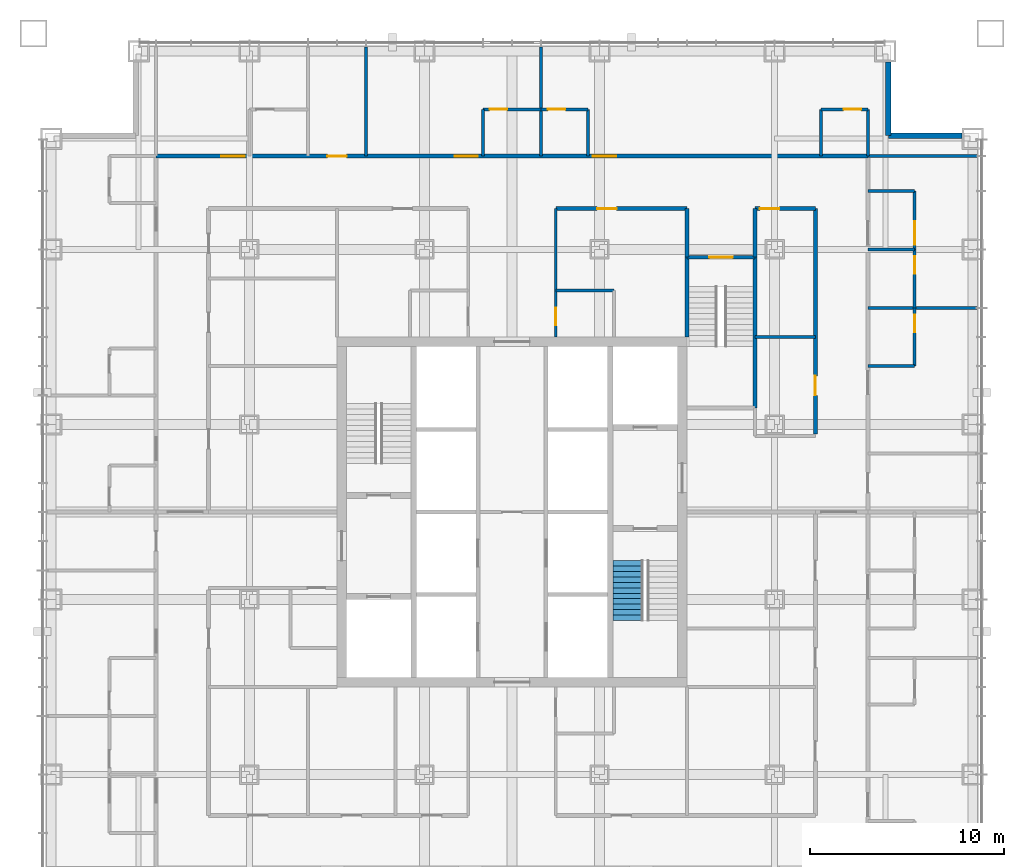
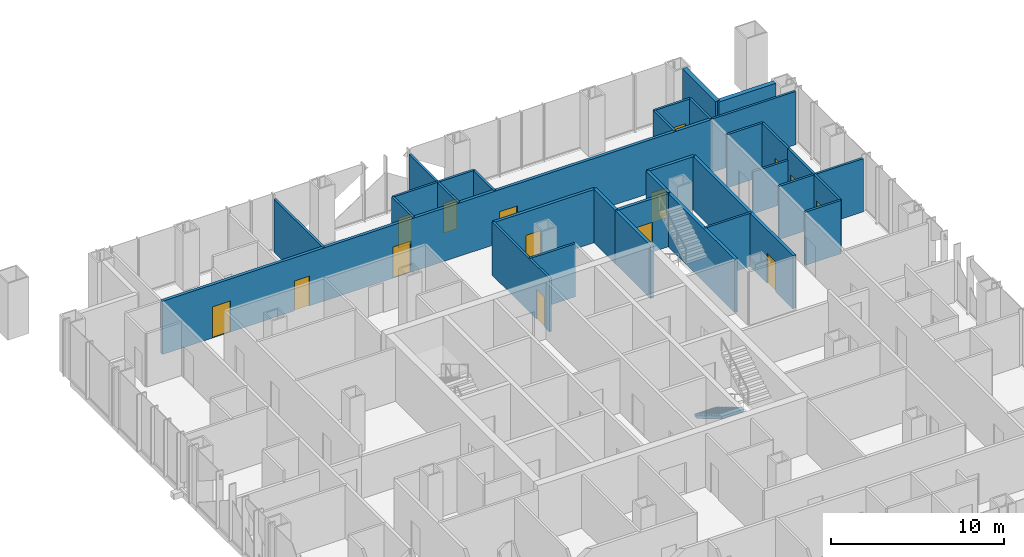
# One storey, part 12 of 16: 31 walls, 15 doors, 1 stair flight, 15 openings, 1 element without a shape of its own.
"""IFC4 building model written with IfcOpenShell, lengths in metres."""

from ifc_helpers import new_model, si_unit, direction, frame, frame_2d, origin, place, context, subcontext, project, spatial, polyline, rectangle, outline, extrude, material, layer, layer_set, type_object, element, fill, aggregate, save


model = new_model("IFC4")

# Units and contexts
model_context = context("Model", 3, precision=1e-05, world=origin(), true_north=direction((0.0, 1.0)))
body_context = subcontext(model_context, "Body", "Model", "MODEL_VIEW")
ifc_project = project(units=[si_unit("LENGTHUNIT", "METRE"), si_unit("AREAUNIT", "SQUARE_METRE"), si_unit("VOLUMEUNIT", "CUBIC_METRE"), si_unit("PLANEANGLEUNIT", "RADIAN"), si_unit("MASSUNIT", "GRAM", prefix="KILO")], contexts=[model_context])

# Site, building, storey
site_placement = place(None, origin())
site = spatial("IfcSite", under=ifc_project, at=site_placement, CompositionType="ELEMENT")
building_placement = place(site_placement, origin())
building = spatial("IfcBuilding", under=site, at=building_placement, Name="Malebo Sky Hospital", CompositionType="ELEMENT")
storey_placement = place(building_placement, frame((0.0, 0.0, 152.0)))
storey = spatial("IfcBuildingStorey", under=building, at=storey_placement, Name="L36", CompositionType="ELEMENT", Elevation=152.0)

# Wall, openings, doors
ifc_material_1 = material(Name="Gypsum board on steel studs", Category="steel")
ifc_layer_1 = layer(ifc_material_1, 0.199951171875)
ifc_layer_set_1 = layer_set([ifc_layer_1], Name="CORRIDOR WALL 200")
wall_type_1 = type_object("IfcWallType", Name="CORRIDOR WALL 200", PredefinedType="PARTITIONING", material=ifc_layer_set_1)
wall_1_placement = place(storey_placement, frame((41.699951171875, 80.300048828125, 0.0), z_axis=(0.0, 0.0, 1.0), x_axis=(1.0, 0.0, 0.0)))
wall_1 = element("IfcWall", 1, at=wall_1_placement, inside=storey, type_object=wall_type_1, Name="Corridor Wall 200 NCO", PredefinedType="PARTITIONING", context=body_context, shape_type="SweptSolid", body=[
    extrude(rectangle(XDim=36.60009765625, YDim=0.199951171875, at=frame_2d((18.300048828125, 0.0))), origin(), (0.0, 0.0, 1.0), 3.75),
])
opening_1_placement = place(wall_1_placement, frame((3.35009765625, 0.0, 0.0)))
opening_1 = element("IfcOpeningElement", 2, at=opening_1_placement, cuts=wall_1, Name="Opening D01", PredefinedType="OPENING", context=body_context, shape_type="SweptSolid", body=[
    extrude(rectangle(XDim=1.199951171875, YDim=2.199951171875, at=frame_2d((0.60009765625, 1.10009765625))), frame((0.0, 0.10986328125, 0.0), z_axis=(0.0, -1.0, 0.0), x_axis=(1.0, 0.0, 0.0)), (0.0, 0.0, 1.0), 0.219970703125),
])
opening_2_placement = place(wall_1_placement, frame((8.800048828125, 0.0, 0.0)))
opening_2 = element("IfcOpeningElement", 3, at=opening_2_placement, cuts=wall_1, Name="Opening D03", PredefinedType="OPENING", context=body_context, shape_type="SweptSolid", body=[
    extrude(rectangle(XDim=1.0, YDim=2.10009765625, at=frame_2d((0.5, 1.050048828125))), frame((0.0, 0.10986328125, 0.0), z_axis=(0.0, -1.0, 0.0), x_axis=(1.0, 0.0, 0.0)), (0.0, 0.0, 1.0), 0.219970703125),
])
opening_3_placement = place(wall_1_placement, frame((15.35009765625, 0.0, 0.0)))
opening_3 = element("IfcOpeningElement", 4, at=opening_3_placement, cuts=wall_1, Name="Opening D01", PredefinedType="OPENING", context=body_context, shape_type="SweptSolid", body=[
    extrude(rectangle(XDim=1.199951171875, YDim=2.199951171875, at=frame_2d((0.60009765625, 1.10009765625))), frame((0.0, 0.10986328125, 0.0), z_axis=(0.0, -1.0, 0.0), x_axis=(1.0, 0.0, 0.0)), (0.0, 0.0, 1.0), 0.219970703125),
])
opening_4_placement = place(wall_1_placement, frame((22.449951171875, 0.0, 0.0)))
opening_4 = element("IfcOpeningElement", 5, at=opening_4_placement, cuts=wall_1, Name="Opening D01", PredefinedType="OPENING", context=body_context, shape_type="SweptSolid", body=[
    extrude(rectangle(XDim=1.199951171875, YDim=2.199951171875, at=frame_2d((0.60009765625, 1.10009765625))), frame((0.0, 0.10986328125, 0.0), z_axis=(0.0, -1.0, 0.0), x_axis=(1.0, 0.0, 0.0)), (0.0, 0.0, 1.0), 0.219970703125),
])
ifc_material_2 = material(Name="Hardwood-faced door leaf in steel frame", Category="steel")
door_type_1 = type_object("IfcDoorType", Name="BED DOOR 1200", OperationType="SINGLE_SWING_LEFT", PredefinedType="DOOR", material=ifc_material_2)
door_1_placement = place(opening_1_placement, origin())
door_1 = element("IfcDoor", 6, at=door_1_placement, inside=storey, type_object=door_type_1, Name="Single bed room door", OperationType="SINGLE_SWING_RIGHT", OverallHeight=2.199951171875, OverallWidth=1.199951171875, PredefinedType="DOOR", context=body_context, shape_type="SweptSolid", body=[
    extrude(rectangle(XDim=1.199951171875, YDim=2.199951171875, at=frame_2d((0.60009765625, 1.10009765625))), frame((0.0, 0.02490234375, 0.0), z_axis=(0.0, -1.0, 0.0), x_axis=(1.0, 0.0, 0.0)), (0.0, 0.0, 1.0), 0.050048828125),
])
fill(opening_1, door_1)
door_2_placement = place(opening_3_placement, origin())
door_2 = element("IfcDoor", 7, at=door_2_placement, inside=storey, type_object=door_type_1, Name="Two-bed room door", OperationType="SINGLE_SWING_RIGHT", OverallHeight=2.199951171875, OverallWidth=1.199951171875, PredefinedType="DOOR", context=body_context, shape_type="SweptSolid", body=[
    extrude(rectangle(XDim=1.199951171875, YDim=2.199951171875, at=frame_2d((0.60009765625, 1.10009765625))), frame((0.0, 0.02490234375, 0.0), z_axis=(0.0, -1.0, 0.0), x_axis=(1.0, 0.0, 0.0)), (0.0, 0.0, 1.0), 0.050048828125),
])
fill(opening_3, door_2)
door_3_placement = place(opening_4_placement, origin())
door_3 = element("IfcDoor", 8, at=door_3_placement, inside=storey, type_object=door_type_1, Name="Four-bed bay door", OperationType="SINGLE_SWING_LEFT", OverallHeight=2.199951171875, OverallWidth=1.199951171875, PredefinedType="DOOR", context=body_context, shape_type="SweptSolid", body=[
    extrude(rectangle(XDim=1.199951171875, YDim=2.199951171875, at=frame_2d((0.60009765625, 1.10009765625))), frame((0.0, 0.02490234375, 0.0), z_axis=(0.0, -1.0, 0.0), x_axis=(1.0, 0.0, 0.0)), (0.0, 0.0, 1.0), 0.050048828125),
])
fill(opening_4, door_3)
door_type_2 = type_object("IfcDoorType", Name="ROOM DOOR 1000", OperationType="SINGLE_SWING_LEFT", PredefinedType="DOOR", material=ifc_material_2)
door_4_placement = place(opening_2_placement, origin())
door_4 = element("IfcDoor", 9, at=door_4_placement, inside=storey, type_object=door_type_2, Name="Interview room door", OperationType="SINGLE_SWING_LEFT", OverallHeight=2.10009765625, OverallWidth=1.0, PredefinedType="DOOR", context=body_context, shape_type="SweptSolid", body=[
    extrude(rectangle(XDim=1.0, YDim=2.10009765625, at=frame_2d((0.5, 1.050048828125))), frame((0.0, 0.02490234375, 0.0), z_axis=(0.0, -1.0, 0.0), x_axis=(1.0, 0.0, 0.0)), (0.0, 0.0, 1.0), 0.050048828125),
])
fill(opening_2, door_4)

# Wall, opening, door
wall_2_placement = place(storey_placement, frame((62.25, 77.60009765625, 0.0), z_axis=(0.0, 0.0, 1.0), x_axis=(1.0, 0.0, 0.0)))
wall_2 = element("IfcWall", 10, at=wall_2_placement, inside=storey, type_object=wall_type_1, Name="Corridor Wall 200 NCI2", PredefinedType="PARTITIONING", context=body_context, shape_type="SweptSolid", body=[
    extrude(rectangle(XDim=6.75, YDim=0.199951171875, at=frame_2d((3.375, 0.0))), origin(), (0.0, 0.0, 1.0), 3.75),
])
opening_5_placement = place(wall_2_placement, frame((2.125, 0.0, 0.0)))
opening_5 = element("IfcOpeningElement", 11, at=opening_5_placement, cuts=wall_2, Name="Opening D03", PredefinedType="OPENING", context=body_context, shape_type="SweptSolid", body=[
    extrude(rectangle(XDim=1.0, YDim=2.10009765625, at=frame_2d((0.5, 1.050048828125))), frame((0.0, 0.10986328125, 0.0), z_axis=(0.0, -1.0, 0.0), x_axis=(1.0, 0.0, 0.0)), (0.0, 0.0, 1.0), 0.219970703125),
])
door_5_placement = place(opening_5_placement, origin())
door_5 = element("IfcDoor", 12, at=door_5_placement, inside=storey, type_object=door_type_2, Name="Dirty utility room door", OperationType="SINGLE_SWING_LEFT", OverallHeight=2.10009765625, OverallWidth=1.0, PredefinedType="DOOR", context=body_context, shape_type="SweptSolid", body=[
    extrude(rectangle(XDim=1.0, YDim=2.10009765625, at=frame_2d((0.5, 1.050048828125))), frame((0.0, 0.02490234375, 0.0), z_axis=(0.0, -1.0, 0.0), x_axis=(1.0, 0.0, 0.0)), (0.0, 0.0, 1.0), 0.050048828125),
])
fill(opening_5, door_5)

wall_3_placement = place(storey_placement, frame((72.5, 77.60009765625, 0.0), z_axis=(0.0, 0.0, 1.0), x_axis=(1.0, 0.0, 0.0)))
wall_3 = element("IfcWall", 13, at=wall_3_placement, inside=storey, type_object=wall_type_1, Name="Corridor Wall 200 NCI2/2", PredefinedType="PARTITIONING", context=body_context, shape_type="SweptSolid", body=[
    extrude(rectangle(XDim=3.10009765625, YDim=0.199951171875, at=frame_2d((1.550048828125, 0.0))), origin(), (0.0, 0.0, 1.0), 3.75),
])
opening_6_placement = place(wall_3_placement, frame((0.25, 0.0, 0.0)))
opening_6 = element("IfcOpeningElement", 14, at=opening_6_placement, cuts=wall_3, Name="Opening D03", PredefinedType="OPENING", context=body_context, shape_type="SweptSolid", body=[
    extrude(rectangle(XDim=1.0, YDim=2.10009765625, at=frame_2d((0.5, 1.050048828125))), frame((0.0, 0.10986328125, 0.0), z_axis=(0.0, -1.0, 0.0), x_axis=(1.0, 0.0, 0.0)), (0.0, 0.0, 1.0), 0.219970703125),
])
door_6_placement = place(opening_6_placement, origin())
door_6 = element("IfcDoor", 15, at=door_6_placement, inside=storey, type_object=door_type_2, Name="Nurse station door", OperationType="SINGLE_SWING_LEFT", OverallHeight=2.10009765625, OverallWidth=1.0, PredefinedType="DOOR", context=body_context, shape_type="SweptSolid", body=[
    extrude(rectangle(XDim=1.0, YDim=2.10009765625, at=frame_2d((0.5, 1.050048828125))), frame((0.0, 0.02490234375, 0.0), z_axis=(0.0, -1.0, 0.0), x_axis=(1.0, 0.0, 0.0)), (0.0, 0.0, 1.0), 0.050048828125),
])
fill(opening_6, door_6)

wall_4_placement = place(storey_placement, frame((75.60009765625, 77.60009765625, 0.0), z_axis=(0.0, 0.0, 1.0), x_axis=(0.0, -1.0, 0.0)))
wall_4 = element("IfcWall", 16, at=wall_4_placement, inside=storey, type_object=wall_type_1, Name="Corridor Wall 200 ECI1", PredefinedType="PARTITIONING", context=body_context, shape_type="SweptSolid", body=[
    extrude(rectangle(XDim=11.60009765625, YDim=0.199951171875, at=frame_2d((5.800048828125, 0.0))), origin(), (0.0, 0.0, 1.0), 3.75),
])
opening_7_placement = place(wall_4_placement, frame((8.60009765625, 0.0, 0.0)))
opening_7 = element("IfcOpeningElement", 17, at=opening_7_placement, cuts=wall_4, Name="Opening D03", PredefinedType="OPENING", context=body_context, shape_type="SweptSolid", body=[
    extrude(rectangle(XDim=1.0, YDim=2.10009765625, at=frame_2d((0.5, 1.050048828125))), frame((0.0, 0.10986328125, 0.0), z_axis=(0.0, -1.0, 0.0), x_axis=(1.0, 0.0, 0.0)), (0.0, 0.0, 1.0), 0.219970703125),
])
door_7_placement = place(opening_7_placement, origin())
door_7 = element("IfcDoor", 18, at=door_7_placement, inside=storey, type_object=door_type_2, Name="Ward pantry door", OperationType="SINGLE_SWING_LEFT", OverallHeight=2.10009765625, OverallWidth=1.0, PredefinedType="DOOR", context=body_context, shape_type="SweptSolid", body=[
    extrude(rectangle(XDim=1.0, YDim=2.10009765625, at=frame_2d((0.5, 1.050048828125))), frame((0.0, 0.02490234375, 0.0), z_axis=(0.0, -1.0, 0.0), x_axis=(1.0, 0.0, 0.0)), (0.0, 0.0, 1.0), 0.050048828125),
])
fill(opening_7, door_7)

# Walls
for number, where, z_axis, x_axis, name in (
    (19, (69.0, 75.10009765625, 0.0), (0.0, 0.0, 1.0), (0.0, 1.0, 0.0), "Corridor Wall 200 ST3AW"),
    (20, (72.5, 75.10009765625, 0.0), (0.0, 0.0, 1.0), (0.0, 1.0, 0.0), "Corridor Wall 200 ST3AE"),
):
    element("IfcWall", number, at=place(storey_placement, frame(where, z_axis=z_axis, x_axis=x_axis)), inside=storey, type_object=wall_type_1, Name=name, PredefinedType="PARTITIONING", context=body_context, shape_type="SweptSolid", body=[
        extrude(rectangle(XDim=2.5, YDim=0.199951171875, at=frame_2d((1.25, 0.0))), origin(), (0.0, 0.0, 1.0), 3.75),
    ])
ifc_material_3 = material(Name="Anodised aluminium rainscreen on steel framing", Category="steel")
ifc_layer_2 = layer(ifc_material_3, 0.300048828125)
ifc_layer_set_2 = layer_set([ifc_layer_2], Name="NOTCH RAINSCREEN WALL 300")
wall_type_2 = type_object("IfcWallType", Name="NOTCH RAINSCREEN WALL 300", PredefinedType="ELEMENTEDWALL", material=ifc_layer_set_2)
for number, where, z_axis, x_axis, name in (
    (21, (79.35009765625, 85.14990234375, 0.0), (0.0, 0.0, 1.0), (0.0, -1.0, 0.0), "Notch rainscreen wall N1 L36"),
    (22, (79.35009765625, 81.35009765625, 0.0), (0.0, 0.0, 1.0), (1.0, 0.0, 0.0), "Notch rainscreen wall N2 L36"),
):
    element("IfcWall", number, at=place(storey_placement, frame(where, z_axis=z_axis, x_axis=x_axis)), inside=storey, type_object=wall_type_2, Name=name, PredefinedType="ELEMENTEDWALL", context=body_context, shape_type="SweptSolid", body=[
        extrude(rectangle(XDim=3.7998046875, YDim=0.300048828125, at=frame_2d((1.89990234375, 0.0))), origin(), (0.0, 0.0, 1.0), 4.0),
    ])
ifc_layer_3 = layer(ifc_material_1, 0.14990234375)
ifc_layer_set_3 = layer_set([ifc_layer_3], Name="PARTITION 150")
wall_type_3 = type_object("IfcWallType", Name="PARTITION 150", PredefinedType="PARTITIONING", material=ifc_layer_set_3)
for number, where, z_axis, x_axis, name in (
    (23, (52.5, 80.300048828125, 0.0), (0.0, 0.0, 1.0), (0.0, 1.0, 0.0), "Partition 150 NP-7.5"),
    (24, (61.5, 80.300048828125, 0.0), (0.0, 0.0, 1.0), (0.0, 1.0, 0.0), "Partition 150 NP+1.5"),
):
    element("IfcWall", number, at=place(storey_placement, frame(where, z_axis=z_axis, x_axis=x_axis)), inside=storey, type_object=wall_type_3, Name=name, PredefinedType="PARTITIONING", context=body_context, shape_type="SweptSolid", body=[
        extrude(rectangle(XDim=5.60986328125, YDim=0.14990234375, at=frame_2d((2.804931640625, 0.0))), origin(), (0.0, 0.0, 1.0), 3.75),
    ])

# Wall, opening, door
wall_5_placement = place(storey_placement, frame((58.5, 82.699951171875, 0.0), z_axis=(0.0, 0.0, 1.0), x_axis=(1.0, 0.0, 0.0)))
wall_5 = element("IfcWall", 25, at=wall_5_placement, inside=storey, type_object=wall_type_3, Name="Partition 150 NE2F", PredefinedType="PARTITIONING", context=body_context, shape_type="SweptSolid", body=[
    extrude(rectangle(XDim=3.0, YDim=0.14990234375, at=frame_2d((1.5, 0.0))), origin(), (0.0, 0.0, 1.0), 3.75),
])
opening_8_placement = place(wall_5_placement, frame((0.35009765625, 0.0, 0.0)))
opening_8 = element("IfcOpeningElement", 26, at=opening_8_placement, cuts=wall_5, Name="Opening D02", PredefinedType="OPENING", context=body_context, shape_type="SweptSolid", body=[
    extrude(rectangle(XDim=0.89990234375, YDim=2.10009765625, at=frame_2d((0.449951171875, 1.050048828125))), frame((0.0, 0.0849609375, 0.0), z_axis=(0.0, -1.0, 0.0), x_axis=(1.0, 0.0, 0.0)), (0.0, 0.0, 1.0), 0.169921875),
])
door_type_3 = type_object("IfcDoorType", Name="EN-SUITE DOOR 900", OperationType="SINGLE_SWING_LEFT", PredefinedType="DOOR", material=ifc_material_2)
door_8_placement = place(opening_8_placement, origin())
door_8 = element("IfcDoor", 27, at=door_8_placement, inside=storey, type_object=door_type_3, Name="En-suite door", OperationType="SINGLE_SWING_LEFT", OverallHeight=2.10009765625, OverallWidth=0.89990234375, PredefinedType="DOOR", context=body_context, shape_type="SweptSolid", body=[
    extrude(rectangle(XDim=0.89990234375, YDim=2.10009765625, at=frame_2d((0.449951171875, 1.050048828125))), frame((0.0, 0.02490234375, 0.0), z_axis=(0.0, -1.0, 0.0), x_axis=(1.0, 0.0, 0.0)), (0.0, 0.0, 1.0), 0.050048828125),
])
fill(opening_8, door_8)

# Wall
wall_6_placement = place(storey_placement, frame((58.5, 80.300048828125, 0.0), z_axis=(0.0, 0.0, 1.0), x_axis=(0.0, 1.0, 0.0)))
element("IfcWall", 28, at=wall_6_placement, inside=storey, type_object=wall_type_3, Name="Partition 150 NE2S", PredefinedType="PARTITIONING", context=body_context, shape_type="SweptSolid", body=[
    extrude(rectangle(XDim=2.39990234375, YDim=0.14990234375, at=frame_2d((1.199951171875, 0.0))), origin(), (0.0, 0.0, 1.0), 3.75),
])

# Wall, opening, door
wall_7_placement = place(storey_placement, frame((61.5, 82.699951171875, 0.0), z_axis=(0.0, 0.0, 1.0), x_axis=(1.0, 0.0, 0.0)))
wall_7 = element("IfcWall", 29, at=wall_7_placement, inside=storey, type_object=wall_type_3, Name="Partition 150 NE3F", PredefinedType="PARTITIONING", context=body_context, shape_type="SweptSolid", body=[
    extrude(rectangle(XDim=2.39990234375, YDim=0.14990234375, at=frame_2d((1.199951171875, 0.0))), origin(), (0.0, 0.0, 1.0), 3.75),
])
opening_9_placement = place(wall_7_placement, frame((0.35009765625, 0.0, 0.0)))
opening_9 = element("IfcOpeningElement", 30, at=opening_9_placement, cuts=wall_7, Name="Opening D02", PredefinedType="OPENING", context=body_context, shape_type="SweptSolid", body=[
    extrude(rectangle(XDim=0.89990234375, YDim=2.10009765625, at=frame_2d((0.449951171875, 1.050048828125))), frame((0.0, 0.0849609375, 0.0), z_axis=(0.0, -1.0, 0.0), x_axis=(1.0, 0.0, 0.0)), (0.0, 0.0, 1.0), 0.169921875),
])
door_9_placement = place(opening_9_placement, origin())
door_9 = element("IfcDoor", 31, at=door_9_placement, inside=storey, type_object=door_type_3, Name="En-suite door", OperationType="SINGLE_SWING_LEFT", OverallHeight=2.10009765625, OverallWidth=0.89990234375, PredefinedType="DOOR", context=body_context, shape_type="SweptSolid", body=[
    extrude(rectangle(XDim=0.89990234375, YDim=2.10009765625, at=frame_2d((0.449951171875, 1.050048828125))), frame((0.0, 0.02490234375, 0.0), z_axis=(0.0, -1.0, 0.0), x_axis=(1.0, 0.0, 0.0)), (0.0, 0.0, 1.0), 0.050048828125),
])
fill(opening_9, door_9)

# Wall
wall_8_placement = place(storey_placement, frame((63.89990234375, 80.300048828125, 0.0), z_axis=(0.0, 0.0, 1.0), x_axis=(0.0, 1.0, 0.0)))
element("IfcWall", 32, at=wall_8_placement, inside=storey, type_object=wall_type_3, Name="Partition 150 NE3S", PredefinedType="PARTITIONING", context=body_context, shape_type="SweptSolid", body=[
    extrude(rectangle(XDim=2.39990234375, YDim=0.14990234375, at=frame_2d((1.199951171875, 0.0))), origin(), (0.0, 0.0, 1.0), 3.75),
])

# Wall, opening, door
wall_9_placement = place(storey_placement, frame((75.89990234375, 82.699951171875, 0.0), z_axis=(0.0, 0.0, 1.0), x_axis=(1.0, 0.0, 0.0)))
wall_9 = element("IfcWall", 33, at=wall_9_placement, inside=storey, type_object=wall_type_3, Name="Partition 150 NG3F", PredefinedType="PARTITIONING", context=body_context, shape_type="SweptSolid", body=[
    extrude(rectangle(XDim=2.400146484375, YDim=0.14990234375, at=frame_2d((1.2001953125, 0.0))), origin(), (0.0, 0.0, 1.0), 3.75),
])
opening_10_placement = place(wall_9_placement, frame((1.14990234375, 0.0, 0.0)))
opening_10 = element("IfcOpeningElement", 34, at=opening_10_placement, cuts=wall_9, Name="Opening D02", PredefinedType="OPENING", context=body_context, shape_type="SweptSolid", body=[
    extrude(rectangle(XDim=0.89990234375, YDim=2.10009765625, at=frame_2d((0.449951171875, 1.050048828125))), frame((0.0, 0.0849609375, 0.0), z_axis=(0.0, -1.0, 0.0), x_axis=(1.0, 0.0, 0.0)), (0.0, 0.0, 1.0), 0.169921875),
])
door_10_placement = place(opening_10_placement, origin())
door_10 = element("IfcDoor", 35, at=door_10_placement, inside=storey, type_object=door_type_3, Name="En-suite door", OperationType="SINGLE_SWING_RIGHT", OverallHeight=2.10009765625, OverallWidth=0.89990234375, PredefinedType="DOOR", context=body_context, shape_type="SweptSolid", body=[
    extrude(rectangle(XDim=0.89990234375, YDim=2.10009765625, at=frame_2d((0.449951171875, 1.050048828125))), frame((0.0, 0.02490234375, 0.0), z_axis=(0.0, -1.0, 0.0), x_axis=(1.0, 0.0, 0.0)), (0.0, 0.0, 1.0), 0.050048828125),
])
fill(opening_10, door_10)

# Walls
for number, where, z_axis, x_axis, name in (
    (36, (75.89990234375, 80.300048828125, 0.0), (0.0, 0.0, 1.0), (0.0, 1.0, 0.0), "Partition 150 NG3S"),
    (37, (78.300048828125, 80.300048828125, 0.0), (0.0, 0.0, 1.0), (0.0, 1.0, 0.0), "Partition 150 NEZ"),
):
    element("IfcWall", number, at=place(storey_placement, frame(where, z_axis=z_axis, x_axis=x_axis)), inside=storey, type_object=wall_type_3, Name=name, PredefinedType="PARTITIONING", context=body_context, shape_type="SweptSolid", body=[
        extrude(rectangle(XDim=2.39990234375, YDim=0.14990234375, at=frame_2d((1.199951171875, 0.0))), origin(), (0.0, 0.0, 1.0), 3.75),
    ])

# Wall, opening, door
wall_10_placement = place(storey_placement, frame((62.25, 71.0, 0.0), z_axis=(0.0, 0.0, 1.0), x_axis=(0.0, 1.0, 0.0)))
wall_10 = element("IfcWall", 38, at=wall_10_placement, inside=storey, type_object=wall_type_3, Name="Partition 150 NSPB", PredefinedType="PARTITIONING", context=body_context, shape_type="SweptSolid", body=[
    extrude(rectangle(XDim=6.60009765625, YDim=0.14990234375, at=frame_2d((3.300048828125, 0.0))), origin(), (0.0, 0.0, 1.0), 3.75),
])
opening_11_placement = place(wall_10_placement, frame((0.60009765625, 0.0, 0.0)))
opening_11 = element("IfcOpeningElement", 39, at=opening_11_placement, cuts=wall_10, Name="Opening D04", PredefinedType="OPENING", context=body_context, shape_type="SweptSolid", body=[
    extrude(rectangle(XDim=0.89990234375, YDim=2.10009765625, at=frame_2d((0.449951171875, 1.050048828125))), frame((0.0, 0.0849609375, 0.0), z_axis=(0.0, -1.0, 0.0), x_axis=(1.0, 0.0, 0.0)), (0.0, 0.0, 1.0), 0.169921875),
])
door_type_4 = type_object("IfcDoorType", Name="ROOM DOOR 900", OperationType="SINGLE_SWING_LEFT", PredefinedType="DOOR", material=ifc_material_2)
door_11_placement = place(opening_11_placement, origin())
door_11 = element("IfcDoor", 40, at=door_11_placement, inside=storey, type_object=door_type_4, Name="Accessible WC door", OperationType="SINGLE_SWING_LEFT", OverallHeight=2.10009765625, OverallWidth=0.89990234375, PredefinedType="DOOR", context=body_context, shape_type="SweptSolid", body=[
    extrude(rectangle(XDim=0.89990234375, YDim=2.10009765625, at=frame_2d((0.449951171875, 1.050048828125))), frame((0.0, 0.02490234375, 0.0), z_axis=(0.0, -1.0, 0.0), x_axis=(1.0, 0.0, 0.0)), (0.0, 0.0, 1.0), 0.050048828125),
])
fill(opening_11, door_11)

# Walls
wall_11_placement = place(storey_placement, frame((62.25, 73.39990234375, 0.0), z_axis=(0.0, 0.0, 1.0), x_axis=(1.0, 0.0, 0.0)))
element("IfcWall", 41, at=wall_11_placement, inside=storey, type_object=wall_type_3, Name="Partition 150 NSX1", PredefinedType="PARTITIONING", context=body_context, shape_type="SweptSolid", body=[
    extrude(rectangle(XDim=3.0, YDim=0.14990234375, at=frame_2d((1.5, 0.0))), origin(), (0.0, 0.0, 1.0), 3.75),
])
for number, where, z_axis, x_axis, name in (
    (42, (78.300048828125, 72.5, 0.0), (0.0, 0.0, 1.0), (1.0, 0.0, 0.0), "Partition 150 EP-10.5"),
    (43, (78.300048828125, 80.300048828125, 0.0), (0.0, 0.0, 1.0), (1.0, 0.0, 0.0), "Partition 150 EP0"),
):
    element("IfcWall", number, at=place(storey_placement, frame(where, z_axis=z_axis, x_axis=x_axis)), inside=storey, type_object=wall_type_3, Name=name, PredefinedType="PARTITIONING", context=body_context, shape_type="SweptSolid", body=[
        extrude(rectangle(XDim=5.60986328125, YDim=0.14990234375, at=frame_2d((2.804931640625, 0.0))), origin(), (0.0, 0.0, 1.0), 3.75),
    ])

# Wall, opening, door
wall_12_placement = place(storey_placement, frame((80.699951171875, 75.5, 0.0), z_axis=(0.0, 0.0, 1.0), x_axis=(0.0, -1.0, 0.0)))
wall_12 = element("IfcWall", 44, at=wall_12_placement, inside=storey, type_object=wall_type_3, Name="Partition 150 EE0F", PredefinedType="PARTITIONING", context=body_context, shape_type="SweptSolid", body=[
    extrude(rectangle(XDim=3.0, YDim=0.14990234375, at=frame_2d((1.5, 0.0))), origin(), (0.0, 0.0, 1.0), 3.75),
])
opening_12_placement = place(wall_12_placement, frame((0.35009765625, 0.0, 0.0)))
opening_12 = element("IfcOpeningElement", 45, at=opening_12_placement, cuts=wall_12, Name="Opening D02", PredefinedType="OPENING", context=body_context, shape_type="SweptSolid", body=[
    extrude(rectangle(XDim=0.89990234375, YDim=2.10009765625, at=frame_2d((0.449951171875, 1.050048828125))), frame((0.0, 0.0849609375, 0.0), z_axis=(0.0, -1.0, 0.0), x_axis=(1.0, 0.0, 0.0)), (0.0, 0.0, 1.0), 0.169921875),
])
door_12_placement = place(opening_12_placement, origin())
door_12 = element("IfcDoor", 46, at=door_12_placement, inside=storey, type_object=door_type_3, Name="En-suite door", OperationType="SINGLE_SWING_LEFT", OverallHeight=2.10009765625, OverallWidth=0.89990234375, PredefinedType="DOOR", context=body_context, shape_type="SweptSolid", body=[
    extrude(rectangle(XDim=0.89990234375, YDim=2.10009765625, at=frame_2d((0.449951171875, 1.050048828125))), frame((0.0, 0.02490234375, 0.0), z_axis=(0.0, -1.0, 0.0), x_axis=(1.0, 0.0, 0.0)), (0.0, 0.0, 1.0), 0.050048828125),
])
fill(opening_12, door_12)

# Wall
wall_13_placement = place(storey_placement, frame((78.300048828125, 75.5, 0.0), z_axis=(0.0, 0.0, 1.0), x_axis=(1.0, 0.0, 0.0)))
element("IfcWall", 47, at=wall_13_placement, inside=storey, type_object=wall_type_3, Name="Partition 150 EE0S", PredefinedType="PARTITIONING", context=body_context, shape_type="SweptSolid", body=[
    extrude(rectangle(XDim=2.39990234375, YDim=0.14990234375, at=frame_2d((1.199951171875, 0.0))), origin(), (0.0, 0.0, 1.0), 2.949951171875),
])

# Wall, opening, door
wall_14_placement = place(storey_placement, frame((80.699951171875, 72.5, 0.0), z_axis=(0.0, 0.0, 1.0), x_axis=(0.0, -1.0, 0.0)))
wall_14 = element("IfcWall", 48, at=wall_14_placement, inside=storey, type_object=wall_type_3, Name="Partition 150 EE1F", PredefinedType="PARTITIONING", context=body_context, shape_type="SweptSolid", body=[
    extrude(rectangle(XDim=3.0, YDim=0.14990234375, at=frame_2d((1.5, 0.0))), origin(), (0.0, 0.0, 1.0), 3.75),
])
opening_13_placement = place(wall_14_placement, frame((0.35009765625, 0.0, 0.0)))
opening_13 = element("IfcOpeningElement", 49, at=opening_13_placement, cuts=wall_14, Name="Opening D02", PredefinedType="OPENING", context=body_context, shape_type="SweptSolid", body=[
    extrude(rectangle(XDim=0.89990234375, YDim=2.10009765625, at=frame_2d((0.449951171875, 1.050048828125))), frame((0.0, 0.0849609375, 0.0), z_axis=(0.0, -1.0, 0.0), x_axis=(1.0, 0.0, 0.0)), (0.0, 0.0, 1.0), 0.169921875),
])
door_13_placement = place(opening_13_placement, origin())
door_13 = element("IfcDoor", 50, at=door_13_placement, inside=storey, type_object=door_type_3, Name="En-suite door", OperationType="SINGLE_SWING_LEFT", OverallHeight=2.10009765625, OverallWidth=0.89990234375, PredefinedType="DOOR", context=body_context, shape_type="SweptSolid", body=[
    extrude(rectangle(XDim=0.89990234375, YDim=2.10009765625, at=frame_2d((0.449951171875, 1.050048828125))), frame((0.0, 0.02490234375, 0.0), z_axis=(0.0, -1.0, 0.0), x_axis=(1.0, 0.0, 0.0)), (0.0, 0.0, 1.0), 0.050048828125),
])
fill(opening_13, door_13)

# Walls
wall_15_placement = place(storey_placement, frame((78.300048828125, 69.5, 0.0), z_axis=(0.0, 0.0, 1.0), x_axis=(1.0, 0.0, 0.0)))
element("IfcWall", 51, at=wall_15_placement, inside=storey, type_object=wall_type_3, Name="Partition 150 EE1S", PredefinedType="PARTITIONING", context=body_context, shape_type="SweptSolid", body=[
    extrude(rectangle(XDim=2.39990234375, YDim=0.14990234375, at=frame_2d((1.199951171875, 0.0))), origin(), (0.0, 0.0, 1.0), 3.75),
])
wall_16_placement = place(storey_placement, frame((72.5, 71.0, 0.0), z_axis=(0.0, 0.0, 1.0), x_axis=(1.0, 0.0, 0.0)))
element("IfcWall", 52, at=wall_16_placement, inside=storey, type_object=wall_type_3, Name="Partition 150 ESP0", PredefinedType="PARTITIONING", context=body_context, shape_type="SweptSolid", body=[
    extrude(rectangle(XDim=3.10009765625, YDim=0.14990234375, at=frame_2d((1.550048828125, 0.0))), origin(), (0.0, 0.0, 1.0), 3.75),
])

# Wall, opening, door
ifc_material_4 = material(Name="Sealed gypsum board on steel studs, taped to the slab", Category="steel")
ifc_layer_4 = layer(ifc_material_4, 0.14990234375)
ifc_layer_set_4 = layer_set([ifc_layer_4], Name="SEALED ISOLATION PARTITION 150")
wall_type_4 = type_object("IfcWallType", Name="SEALED ISOLATION PARTITION 150", PredefinedType="PARTITIONING", material=ifc_layer_set_4)
wall_17_placement = place(storey_placement, frame((80.699951171875, 78.5, 0.0), z_axis=(0.0, 0.0, 1.0), x_axis=(0.0, -1.0, 0.0)))
wall_17 = element("IfcWall", 53, at=wall_17_placement, inside=storey, type_object=wall_type_4, Name="Sealed Isolation Partition 150 EA0F", PredefinedType="PARTITIONING", context=body_context, shape_type="SweptSolid", body=[
    extrude(rectangle(XDim=3.0, YDim=0.14990234375, at=frame_2d((1.5, 0.0))), origin(), (0.0, 0.0, 1.0), 3.75),
])
opening_14_placement = place(wall_17_placement, frame((1.550048828125, 0.0, 0.0)))
opening_14 = element("IfcOpeningElement", 54, at=opening_14_placement, cuts=wall_17, Name="Opening D19", PredefinedType="OPENING", context=body_context, shape_type="SweptSolid", body=[
    extrude(rectangle(XDim=1.199951171875, YDim=2.199951171875, at=frame_2d((0.60009765625, 1.10009765625))), frame((0.0, 0.0849609375, 0.0), z_axis=(0.0, -1.0, 0.0), x_axis=(1.0, 0.0, 0.0)), (0.0, 0.0, 1.0), 0.169921875),
])
ifc_material_5 = material(Name="Hardwood-faced door leaf with perimeter seals in steel frame", Category="steel")
door_type_5 = type_object("IfcDoorType", Name="SEALED ISOLATION ROOM DOOR 1200", OperationType="SINGLE_SWING_LEFT", PredefinedType="DOOR", material=ifc_material_5)
door_14_placement = place(opening_14_placement, origin())
door_14 = element("IfcDoor", 55, at=door_14_placement, inside=storey, type_object=door_type_5, Name="Isolation room door", OperationType="SINGLE_SWING_RIGHT", OverallHeight=2.199951171875, OverallWidth=1.199951171875, PredefinedType="DOOR", context=body_context, shape_type="SweptSolid", body=[
    extrude(rectangle(XDim=1.199951171875, YDim=2.199951171875, at=frame_2d((0.60009765625, 1.10009765625))), frame((0.0, 0.02490234375, 0.0), z_axis=(0.0, -1.0, 0.0), x_axis=(1.0, 0.0, 0.0)), (0.0, 0.0, 1.0), 0.050048828125),
])
fill(opening_14, door_14)

# Walls
wall_18_placement = place(storey_placement, frame((78.300048828125, 78.5, 0.0), z_axis=(0.0, 0.0, 1.0), x_axis=(1.0, 0.0, 0.0)))
element("IfcWall", 56, at=wall_18_placement, inside=storey, type_object=wall_type_4, Name="Sealed Isolation Partition 150 EA0S", PredefinedType="PARTITIONING", context=body_context, shape_type="SweptSolid", body=[
    extrude(rectangle(XDim=2.39990234375, YDim=0.14990234375, at=frame_2d((1.199951171875, 0.0))), origin(), (0.0, 0.0, 1.0), 3.75),
])
ifc_material_6 = material(Name="Concrete C40/50", Category="concrete")
ifc_layer_5 = layer(ifc_material_6, 0.199951171875)
ifc_layer_set_5 = layer_set([ifc_layer_5], Name="STAIR ENCLOSURE WALL 200")
wall_type_5 = type_object("IfcWallType", Name="STAIR ENCLOSURE WALL 200", PredefinedType="SOLIDWALL", material=ifc_layer_set_5)
wall_19_placement = place(storey_placement, frame((69.0, 71.0, 0.0), z_axis=(0.0, 0.0, 1.0), x_axis=(0.0, 1.0, 0.0)))
element("IfcWall", 57, at=wall_19_placement, inside=storey, type_object=wall_type_5, Name="Stair Enclosure Wall 200 ST3W", PredefinedType="SOLIDWALL", context=body_context, shape_type="SweptSolid", body=[
    extrude(rectangle(XDim=4.10009765625, YDim=0.199951171875, at=frame_2d((2.050048828125, 0.0))), origin(), (0.0, 0.0, 1.0), 3.75),
])
wall_20_placement = place(storey_placement, frame((72.5, 67.35009765625, 0.0), z_axis=(0.0, 0.0, 1.0), x_axis=(0.0, 1.0, 0.0)))
element("IfcWall", 58, at=wall_20_placement, inside=storey, type_object=wall_type_5, Name="Stair Enclosure Wall 200 ST3E", PredefinedType="SOLIDWALL", context=body_context, shape_type="SweptSolid", body=[
    extrude(rectangle(XDim=7.75, YDim=0.199951171875, at=frame_2d((3.875, 0.0))), origin(), (0.0, 0.0, 1.0), 3.75),
])

# Wall, opening, door
wall_21_placement = place(storey_placement, frame((69.0, 75.10009765625, 0.0), z_axis=(0.0, 0.0, 1.0), x_axis=(1.0, 0.0, 0.0)))
wall_21 = element("IfcWall", 59, at=wall_21_placement, inside=storey, type_object=wall_type_5, Name="Stair Enclosure Wall 200 ST3N", PredefinedType="SOLIDWALL", context=body_context, shape_type="SweptSolid", body=[
    extrude(rectangle(XDim=3.5, YDim=0.199951171875, at=frame_2d((1.75, 0.0))), origin(), (0.0, 0.0, 1.0), 3.75),
])
opening_15_placement = place(wall_21_placement, frame((1.14990234375, 0.0, 0.0)))
opening_15 = element("IfcOpeningElement", 60, at=opening_15_placement, cuts=wall_21, Name="Opening D08", PredefinedType="OPENING", context=body_context, shape_type="SweptSolid", body=[
    extrude(rectangle(XDim=1.199951171875, YDim=2.10009765625, at=frame_2d((0.60009765625, 1.050048828125))), frame((0.0, 0.10986328125, 0.0), z_axis=(0.0, -1.0, 0.0), x_axis=(1.0, 0.0, 0.0)), (0.0, 0.0, 1.0), 0.219970703125),
])
door_type_6 = type_object("IfcDoorType", Name="STAIR DOOR 1200", OperationType="SINGLE_SWING_LEFT", PredefinedType="DOOR", material=ifc_material_2)
door_15_placement = place(opening_15_placement, origin())
door_15 = element("IfcDoor", 61, at=door_15_placement, inside=storey, type_object=door_type_6, Name="Stair S3 door", OperationType="SINGLE_SWING_LEFT", OverallHeight=2.10009765625, OverallWidth=1.199951171875, PredefinedType="DOOR", context=body_context, shape_type="SweptSolid", body=[
    extrude(rectangle(XDim=1.199951171875, YDim=2.10009765625, at=frame_2d((0.60009765625, 1.050048828125))), frame((0.0, 0.02490234375, 0.0), z_axis=(0.0, -1.0, 0.0), x_axis=(1.0, 0.0, 0.0)), (0.0, 0.0, 1.0), 0.050048828125),
])
fill(opening_15, door_15)

# Stair, stair flight
stair_type = type_object("IfcStairType", Name="HALF-TURN STAIR 1500 R167", PredefinedType="HALF_TURN_STAIR", material=ifc_material_6)
stair_placement = place(storey_placement, origin())
stair = element("IfcStair", 62, at=stair_placement, inside=storey, type_object=stair_type, Name="Stair S2 L36 type ST1", PredefinedType="HALF_TURN_STAIR")
stair_flight_type = type_object("IfcStairFlightType", Name="STAIR FLIGHT 1500 R167", PredefinedType="STRAIGHT", material=ifc_material_6)
stair_flight_placement = place(storey_placement, frame((65.949951171875, 59.5, 0.0), z_axis=(0.0, 0.0, 1.0), x_axis=(0.0, -1.0, 0.0)))
stair_flight = element("IfcStairFlight", 63, at=stair_flight_placement, type_object=stair_flight_type, Name="S2 flight 1 type SF1", NumberOfRisers=12, NumberOfTreads=11, PredefinedType="STRAIGHT", RiserHeight=0.166666667, TreadLength=0.28, context=body_context, shape_type="SweptSolid", body=[
    extrude(outline(polyline([(0.0, 0.0), (0.0, 0.166748046875), (0.280029296875, 0.166748046875), (0.280029296875, 0.333251953125), (0.56005859375, 0.333251953125), (0.56005859375, 0.5), (0.840087890625, 0.5), (0.840087890625, 0.666748046875), (1.1201171875, 0.666748046875), (1.1201171875, 0.833251953125), (1.39990234375, 0.833251953125), (1.39990234375, 1.0), (1.679931640625, 1.0), (1.679931640625, 1.166748046875), (1.9599609375, 1.166748046875), (1.9599609375, 1.333251953125), (2.239990234375, 1.333251953125), (2.239990234375, 1.5), (2.52001953125, 1.5), (2.52001953125, 1.666748046875), (2.800048828125, 1.666748046875), (2.800048828125, 1.833251953125), (3.080078125, 1.833251953125), (3.080078125, 2.0), (3.080078125, 1.658935546875), (0.29296875, 0.0), (0.0, 0.0)])), frame((0.0, 0.75, 0.0), z_axis=(0.0, -1.0, 0.0), x_axis=(1.0, 0.0, 0.0)), (0.0, 0.0, 1.0), 1.5),
])
aggregate(stair, [stair_flight])

save(model, "model.ifc")
